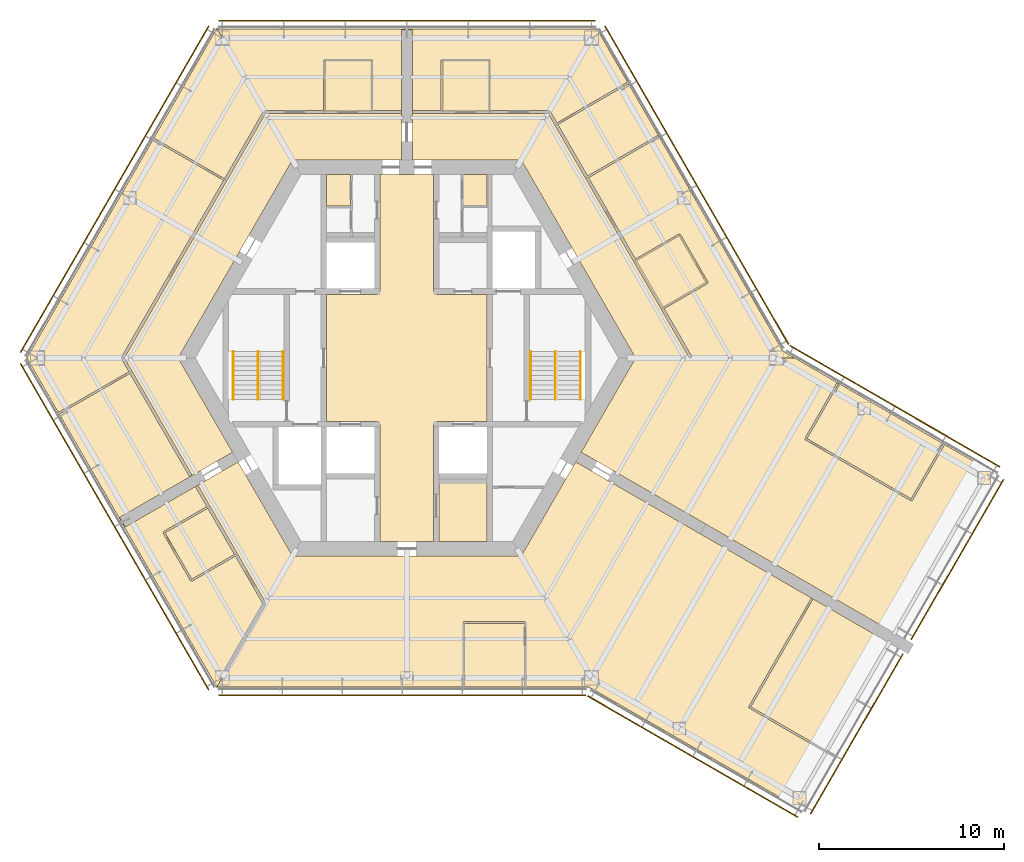
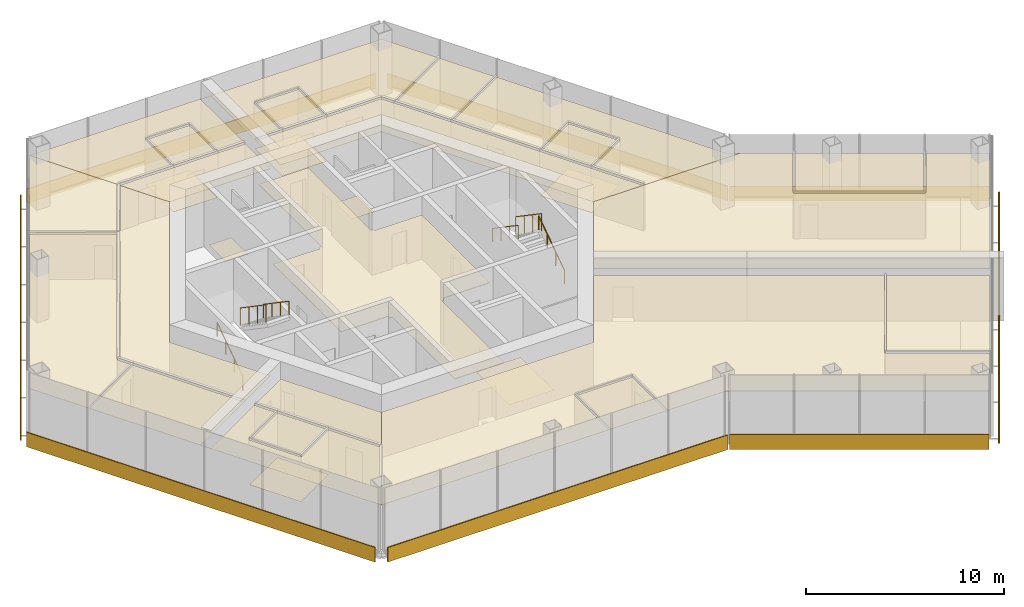
# One storey, part 15 of 15: 29 coverings, 9 shading devices, 6 railings.
"""IFC4 building model written with IfcOpenShell, lengths in metres."""

from ifc_helpers import new_model, si_unit, direction, frame, origin, origin_2d, place, context, subcontext, project, spatial, polyline, rectangle, circle, outline, extrude, material, layer, layer_set, type_object, element, save


model = new_model("IFC4")

# Units and contexts
model_context = context("Model", 3, precision=1e-05, world=origin(), true_north=direction((0.0, 1.0)))
body_context = subcontext(model_context, "Body", "Model", "MODEL_VIEW")
ifc_project = project(units=[si_unit("LENGTHUNIT", "METRE"), si_unit("AREAUNIT", "SQUARE_METRE"), si_unit("VOLUMEUNIT", "CUBIC_METRE"), si_unit("PLANEANGLEUNIT", "RADIAN"), si_unit("MASSUNIT", "GRAM", prefix="KILO")], contexts=[model_context])

# Site, building, storey
site_placement = place(None, origin())
site = spatial("IfcSite", under=ifc_project, at=site_placement, CompositionType="ELEMENT")
building_placement = place(site_placement, origin())
building = spatial("IfcBuilding", under=site, at=building_placement, Name="Kasaneha Research Tower", CompositionType="ELEMENT")
storey_placement = place(building_placement, frame((0.0, 0.0, 240.10009765625)))
storey = spatial("IfcBuildingStorey", under=building, at=storey_placement, Name="L60", CompositionType="ELEMENT", Elevation=240.10009765625)

# Covering
ifc_material_1 = material(Name="Aluminium panel ceiling", Category="aluminium")
ifc_layer_1 = layer(ifc_material_1, 0.0400390625)
ifc_layer_set_1 = layer_set([ifc_layer_1], Name="Lift lobby ceiling 40")
covering_type_1 = type_object("IfcCoveringType", Name="Lift lobby ceiling 40", PredefinedType="CEILING", material=ifc_layer_set_1)
covering_1_placement = place(storey_placement, frame((0.0, 0.0, 2.699951171875)))
element("IfcCovering", 1, at=covering_1_placement, inside=storey, type_object=covering_type_1, Name="Ceiling L60-01", PredefinedType="CEILING", context=body_context, shape_type="SweptSolid", body=[
    extrude(outline(polyline([(1.449951171875, 9.925048828125), (1.449951171875, 3.60009765625), (1.60009765625, 3.60009765625), (1.60009765625, 3.449951171875), (4.35009765625, 3.449951171875), (4.35009765625, -3.449951171875), (1.60009765625, -3.449951171875), (1.60009765625, -3.60009765625), (1.449951171875, -3.60009765625), (1.449951171875, -9.925048828125), (-1.449951171875, -9.925048828125), (-1.449951171875, -3.60009765625), (-1.60009765625, -3.60009765625), (-1.60009765625, -3.449951171875), (-4.35009765625, -3.449951171875), (-4.35009765625, 3.449951171875), (-1.60009765625, 3.449951171875), (-1.60009765625, 3.60009765625), (-1.449951171875, 3.60009765625), (-1.449951171875, 9.925048828125), (1.449951171875, 9.925048828125)])), origin(), (0.0, 0.0, 1.0), 0.0400390625),
])

# Railings
ifc_material_2 = material(Name="Steel", Category="steel")
railing_type_1 = type_object("IfcRailingType", Name="Stair balustrade 1100", PredefinedType="GUARDRAIL", material=ifc_material_2)
for number, where, name in (
    (2, (8.050048828125, 0.35009765625, 2.127197265625), "Stair 1 balustrade L60"),
    (3, (-8.050048828125, 0.35009765625, 2.127197265625), "Stair 2 balustrade L60"),
):
    element("IfcRailing", number, at=place(storey_placement, frame(where)), inside=storey, type_object=railing_type_1, Name=name, PredefinedType="GUARDRAIL", context=body_context, shape_type="SweptSolid", body=[
        extrude(circle(Radius=0.02392578125, at=origin_2d()), frame((0.0, 0.0, 1.076171875), z_axis=(0.0, -0.826240473404, 0.563317565952), x_axis=(1.0, 0.0, 0.0)), (0.0, 0.0, 1.0), 3.14697265625),
        extrude(circle(Radius=0.02099609375, at=origin_2d()), origin(), (0.0, 0.0, 1.0), 1.052001953125),
        extrude(circle(Radius=0.02099609375, at=origin_2d()), frame((0.0, -0.86669921875, 0.5908203125)), (0.0, 0.0, 1.0), 1.052001953125),
        extrude(circle(Radius=0.02099609375, at=origin_2d()), frame((0.0, -1.7333984375, 1.181884765625)), (0.0, 0.0, 1.0), 1.052001953125),
        extrude(circle(Radius=0.02099609375, at=origin_2d()), frame((0.0, -2.60009765625, 1.772705078125)), (0.0, 0.0, 1.0), 1.052001953125),
    ])
ifc_material_3 = material(Name="Steel", Category="steel")
railing_type_2 = type_object("IfcRailingType", Name="Stair handrail 850", PredefinedType="HANDRAIL", material=ifc_material_3)
railing_1_placement = place(storey_placement, frame((9.39990234375, -2.25, 0.17724609375)))
element("IfcRailing", 4, at=railing_1_placement, inside=storey, type_object=railing_type_2, Name="Stair 1 handrail L60", PredefinedType="HANDRAIL", context=body_context, shape_type="SweptSolid", body=[
    extrude(circle(Radius=0.02392578125, at=origin_2d()), frame((0.0, 0.0, 0.826171875), z_axis=(0.0, 0.826240473404, 0.563317565952), x_axis=(-1.0, 0.0, 0.0)), (0.0, 0.0, 1.0), 3.14697265625),
    extrude(circle(Radius=0.02099609375, at=origin_2d()), origin(), (0.0, 0.0, 1.0), 0.802001953125),
    extrude(circle(Radius=0.02099609375, at=origin_2d()), frame((0.0, 0.86669921875, 0.5908203125)), (0.0, 0.0, 1.0), 0.802001953125),
    extrude(circle(Radius=0.02099609375, at=origin_2d()), frame((0.0, 1.7333984375, 1.181884765625)), (0.0, 0.0, 1.0), 0.802001953125),
    extrude(circle(Radius=0.02099609375, at=origin_2d()), frame((0.0, 2.60009765625, 1.772705078125)), (0.0, 0.0, 1.0), 0.802001953125),
])
railing_2_placement = place(storey_placement, frame((6.699951171875, 0.35009765625, 2.127197265625)))
element("IfcRailing", 5, at=railing_2_placement, inside=storey, type_object=railing_type_2, Name="Stair 1 handrail L60", PredefinedType="HANDRAIL", context=body_context, shape_type="SweptSolid", body=[
    extrude(circle(Radius=0.02392578125, at=origin_2d()), frame((0.0, 0.0, 0.826171875), z_axis=(0.0, -0.826240473404, 0.563317565952), x_axis=(1.0, 0.0, 0.0)), (0.0, 0.0, 1.0), 3.14697265625),
    extrude(circle(Radius=0.02099609375, at=origin_2d()), origin(), (0.0, 0.0, 1.0), 0.802001953125),
    extrude(circle(Radius=0.02099609375, at=origin_2d()), frame((0.0, -0.86669921875, 0.5908203125)), (0.0, 0.0, 1.0), 0.802001953125),
    extrude(circle(Radius=0.02099609375, at=origin_2d()), frame((0.0, -1.7333984375, 1.181884765625)), (0.0, 0.0, 1.0), 0.802001953125),
    extrude(circle(Radius=0.02099609375, at=origin_2d()), frame((0.0, -2.60009765625, 1.772705078125)), (0.0, 0.0, 1.0), 0.802001953125),
])
railing_3_placement = place(storey_placement, frame((-9.39990234375, -2.25, 0.17724609375)))
element("IfcRailing", 6, at=railing_3_placement, inside=storey, type_object=railing_type_2, Name="Stair 2 handrail L60", PredefinedType="HANDRAIL", context=body_context, shape_type="SweptSolid", body=[
    extrude(circle(Radius=0.02392578125, at=origin_2d()), frame((0.0, 0.0, 0.826171875), z_axis=(0.0, 0.826240473404, 0.563317565952), x_axis=(-1.0, 0.0, 0.0)), (0.0, 0.0, 1.0), 3.14697265625),
    extrude(circle(Radius=0.02099609375, at=origin_2d()), origin(), (0.0, 0.0, 1.0), 0.802001953125),
    extrude(circle(Radius=0.02099609375, at=origin_2d()), frame((0.0, 0.86669921875, 0.5908203125)), (0.0, 0.0, 1.0), 0.802001953125),
    extrude(circle(Radius=0.02099609375, at=origin_2d()), frame((0.0, 1.7333984375, 1.181884765625)), (0.0, 0.0, 1.0), 0.802001953125),
    extrude(circle(Radius=0.02099609375, at=origin_2d()), frame((0.0, 2.60009765625, 1.772705078125)), (0.0, 0.0, 1.0), 0.802001953125),
])
railing_4_placement = place(storey_placement, frame((-6.699951171875, 0.35009765625, 2.127197265625)))
element("IfcRailing", 7, at=railing_4_placement, inside=storey, type_object=railing_type_2, Name="Stair 2 handrail L60", PredefinedType="HANDRAIL", context=body_context, shape_type="SweptSolid", body=[
    extrude(circle(Radius=0.02392578125, at=origin_2d()), frame((0.0, 0.0, 0.826171875), z_axis=(0.0, -0.826240473404, 0.563317565952), x_axis=(1.0, 0.0, 0.0)), (0.0, 0.0, 1.0), 3.14697265625),
    extrude(circle(Radius=0.02099609375, at=origin_2d()), origin(), (0.0, 0.0, 1.0), 0.802001953125),
    extrude(circle(Radius=0.02099609375, at=origin_2d()), frame((0.0, -0.86669921875, 0.5908203125)), (0.0, 0.0, 1.0), 0.802001953125),
    extrude(circle(Radius=0.02099609375, at=origin_2d()), frame((0.0, -1.7333984375, 1.181884765625)), (0.0, 0.0, 1.0), 0.802001953125),
    extrude(circle(Radius=0.02099609375, at=origin_2d()), frame((0.0, -2.60009765625, 1.772705078125)), (0.0, 0.0, 1.0), 0.802001953125),
])

# Coverings
ifc_material_4 = material(Name="Gypsum ceiling board", Category="gypsum")
ifc_layer_2 = layer(ifc_material_4, 0.02001953125)
ifc_layer_set_2 = layer_set([ifc_layer_2], Name="Suspended ceiling 20")
covering_type_2 = type_object("IfcCoveringType", Name="Suspended ceiling 20", PredefinedType="CEILING", material=ifc_layer_set_2)
covering_2_placement = place(storey_placement, frame((0.0, 0.0, 2.7998046875)))
element("IfcCovering", 8, at=covering_2_placement, inside=storey, type_object=covering_type_2, Name="Ceiling L60-27", PredefinedType="CEILING", context=body_context, shape_type="SweptSolid", body=[
    extrude(outline(polyline([(6.192138671875, 10.72509765625), (0.300048828125, 10.72509765625), (0.300048828125, 11.72509765625), (0.300048828125, 12.72509765625), (0.300048828125, 13.324951171875), (0.320068359375, 13.324951171875), (0.320068359375, 13.25), (1.89501953125, 13.25), (1.904541015625, 13.25), (4.46044921875, 13.25), (4.469970703125, 13.25), (7.64990234375, 13.25), (8.019287109375, 12.610107421875), (8.019287109375, 12.610107421875), (9.68505859375, 9.72509765625), (9.68505859375, 9.72509765625), (12.277099609375, 5.235595703125), (12.277099609375, 5.235595703125), (13.77734375, 2.636962890625), (13.77734375, 2.636962890625), (15.2998046875, 0.0), (12.38427734375, 0.0), (6.192138671875, 10.72509765625)])), origin(), (0.0, 0.0, 1.0), 0.02001953125),
])
covering_3_placement = place(storey_placement, frame((0.0, 0.0, 2.7998046875)))
element("IfcCovering", 9, at=covering_3_placement, inside=storey, type_object=covering_type_2, Name="Ceiling L60-28", PredefinedType="CEILING", context=body_context, shape_type="SweptSolid", body=[
    extrude(outline(polyline([(4.4150390625, 16.074951171875), (4.41064453125, 13.39990234375), (1.954345703125, 13.39990234375), (1.9501953125, 16.074951171875), (4.4150390625, 16.074951171875)])), origin(), (0.0, 0.0, 1.0), 0.02001953125),
])
covering_4_placement = place(storey_placement, frame((0.0, 0.0, 2.7998046875)))
element("IfcCovering", 10, at=covering_4_placement, inside=storey, type_object=covering_type_2, Name="Ceiling L60-29", PredefinedType="CEILING", context=body_context, shape_type="SweptSolid", body=[
    extrude(outline(polyline([(16.1962890625, 4.09716796875), (13.877685546875, 2.763427734375), (12.431884765625, 5.267333984375), (14.746337890625, 6.608642578125), (16.1962890625, 4.09716796875)])), origin(), (0.0, 0.0, 1.0), 0.02001953125),
])
covering_5_placement = place(storey_placement, frame((0.0, 0.0, 2.7998046875)))
element("IfcCovering", 11, at=covering_5_placement, inside=storey, type_object=covering_type_2, Name="Ceiling L60-30", PredefinedType="CEILING", context=body_context, shape_type="SweptSolid", body=[
    extrude(outline(polyline([(13.623291015625, 12.004638671875), (13.598388671875, 12.0478515625), (9.78515625, 9.851318359375), (8.17431640625, 12.641845703125), (12.000244140625, 14.85595703125), (13.640869140625, 12.0146484375), (13.623291015625, 12.004638671875)])), origin(), (0.0, 0.0, 1.0), 0.02001953125),
])
covering_6_placement = place(storey_placement, frame((0.0, 0.0, 2.7998046875)))
element("IfcCovering", 12, at=covering_6_placement, inside=storey, type_object=covering_type_2, Name="Ceiling L60-31", PredefinedType="CEILING", context=body_context, shape_type="SweptSolid", body=[
    extrude(outline(polyline([(15.375244140625, 0.020263671875), (15.439697265625, 0.0576171875), (13.927490234375, 2.6767578125), (16.28955078125, 4.035400390625), (16.2646484375, 4.078857421875), (16.30810546875, 4.103759765625), (14.80810546875, 6.701904296875), (14.764892578125, 6.677001953125), (14.764892578125, 6.67724609375), (14.7646484375, 6.67724609375), (14.73974609375, 6.72021484375), (12.3818359375, 5.35400390625), (9.835205078125, 9.764892578125), (13.6484375, 11.961181640625), (13.62353515625, 12.004150390625), (13.64111328125, 12.01416015625), (20.365966796875, 0.365966796875), (21.0, 0.0), (15.386962890625, 0.0), (15.375244140625, 0.020263671875)])), origin(), (0.0, 0.0, 1.0), 0.02001953125),
])
covering_7_placement = place(storey_placement, frame((0.0, 0.0, 2.7998046875)))
element("IfcCovering", 13, at=covering_7_placement, inside=storey, type_object=covering_type_2, Name="Ceiling L60-32", PredefinedType="CEILING", context=body_context, shape_type="SweptSolid", body=[
    extrude(outline(polyline([(10.28857421875, 17.820556640625), (11.9501953125, 14.9423828125), (8.124267578125, 12.728515625), (7.758056640625, 13.362548828125), (7.693359375, 13.3251953125), (7.693359375, 13.325439453125), (7.693115234375, 13.325439453125), (7.693115234375, 13.39990234375), (4.510498046875, 13.39990234375), (4.514892578125, 16.125), (4.46533203125, 16.125), (4.46533203125, 16.12548828125), (4.465087890625, 16.12548828125), (4.465087890625, 16.175048828125), (1.89990234375, 16.175048828125), (1.89990234375, 16.12548828125), (1.89990234375, 16.12548828125), (1.89990234375, 16.125), (1.85009765625, 16.125), (1.8544921875, 13.39990234375), (0.320068359375, 13.39990234375), (0.320068359375, 13.325439453125), (0.300048828125, 13.325439453125), (0.300048828125, 17.7705078125), (0.300048828125, 17.7705078125), (0.0, 17.7705078125), (0.0, 17.820556640625), (10.28857421875, 17.820556640625)])), origin(), (0.0, 0.0, 1.0), 0.02001953125),
])
covering_8_placement = place(storey_placement, frame((0.0, 0.0, 2.7998046875)))
element("IfcCovering", 14, at=covering_8_placement, inside=storey, type_object=covering_type_2, Name="Ceiling L60-33", PredefinedType="CEILING", context=body_context, shape_type="SweptSolid", body=[
    extrude(outline(polyline([(-0.300048828125, 11.72509765625), (-0.300048828125, 10.72509765625), (-6.192138671875, 10.72509765625), (-7.64990234375, 13.25), (-7.64990234375, 13.25), (-4.469970703125, 13.25), (-4.46044921875, 13.25), (-1.904541015625, 13.25), (-1.89501953125, 13.25), (-0.320068359375, 13.25), (-0.320068359375, 13.324951171875), (-0.300048828125, 13.324951171875), (-0.300048828125, 12.72509765625), (-0.300048828125, 11.72509765625)])), origin(), (0.0, 0.0, 1.0), 0.02001953125),
])
covering_9_placement = place(storey_placement, frame((0.0, 0.0, 2.7998046875)))
element("IfcCovering", 15, at=covering_9_placement, inside=storey, type_object=covering_type_2, Name="Ceiling L60-34", PredefinedType="CEILING", context=body_context, shape_type="SweptSolid", body=[
    extrude(outline(polyline([(-1.9501953125, 16.074951171875), (-1.954345703125, 13.39990234375), (-4.41064453125, 13.39990234375), (-4.4150390625, 16.074951171875), (-1.9501953125, 16.074951171875)])), origin(), (0.0, 0.0, 1.0), 0.02001953125),
])
covering_10_placement = place(storey_placement, frame((0.0, 0.0, 2.7998046875)))
element("IfcCovering", 16, at=covering_10_placement, inside=storey, type_object=covering_type_2, Name="Ceiling L60-35", PredefinedType="CEILING", context=body_context, shape_type="SweptSolid", body=[
    extrude(outline(polyline([(-0.320068359375, 13.325439453125), (-0.320068359375, 13.39990234375), (-1.8544921875, 13.39990234375), (-1.85009765625, 16.125), (-1.899658203125, 16.125), (-1.899658203125, 16.12548828125), (-1.89990234375, 16.12548828125), (-1.89990234375, 16.175048828125), (-4.465087890625, 16.175048828125), (-4.465087890625, 16.12548828125), (-4.465087890625, 16.125), (-4.514892578125, 16.125), (-4.510498046875, 13.39990234375), (-7.670166015625, 13.39990234375), (-7.670166015625, 13.325439453125), (-7.693359375, 13.325439453125), (-10.28857421875, 17.820556640625), (0.0, 17.820556640625), (0.0, 17.7705078125), (-0.300048828125, 17.7705078125), (-0.300048828125, 17.7705078125), (-0.300048828125, 13.325439453125), (-0.320068359375, 13.325439453125)])), origin(), (0.0, 0.0, 1.0), 0.02001953125),
])
covering_11_placement = place(storey_placement, frame((0.0, 0.0, 2.7998046875)))
element("IfcCovering", 17, at=covering_11_placement, inside=storey, type_object=covering_type_2, Name="Ceiling L60-36", PredefinedType="CEILING", context=body_context, shape_type="SweptSolid", body=[
    extrude(outline(polyline([(-12.38427734375, 0.0), (-9.438232421875, -5.102783203125), (-10.30419921875, -5.602783203125), (-10.30419921875, -5.602783203125), (-11.170166015625, -6.102783203125), (-11.170166015625, -6.102783203125), (-11.689697265625, -6.402587890625), (-11.69970703125, -6.385498046875), (-11.634765625, -6.347900390625), (-14.88818359375, -0.713134765625), (-14.887939453125, -0.713134765625), (-15.2998046875, 0.0), (-9.764892578125, 9.5869140625), (-9.764892578125, 9.5869140625), (-7.64990234375, 13.25), (-6.192138671875, 10.72509765625), (-12.38427734375, 0.0)])), origin(), (0.0, 0.0, 1.0), 0.02001953125),
])
covering_12_placement = place(storey_placement, frame((0.0, 0.0, 2.7998046875)))
element("IfcCovering", 18, at=covering_12_placement, inside=storey, type_object=covering_type_2, Name="Ceiling L60-37", PredefinedType="CEILING", context=body_context, shape_type="SweptSolid", body=[
    extrude(outline(polyline([(-15.539794921875, -8.62548828125), (-15.539794921875, -8.62548828125), (-15.3896484375, -8.88525390625), (-15.43310546875, -8.91015625), (-18.823486328125, -3.037841796875), (-14.992919921875, -0.831298828125), (-11.7646484375, -6.4228515625), (-11.69970703125, -6.385498046875), (-11.689697265625, -6.402587890625), (-11.429931640625, -6.252685546875), (-15.539794921875, -8.62548828125), (-15.539794921875, -8.62548828125)])), origin(), (0.0, 0.0, 1.0), 0.02001953125),
])
covering_13_placement = place(storey_placement, frame((0.0, 0.0, 2.7998046875)))
element("IfcCovering", 19, at=covering_13_placement, inside=storey, type_object=covering_type_2, Name="Ceiling L60-38", PredefinedType="CEILING", context=body_context, shape_type="SweptSolid", body=[
    extrude(outline(polyline([(-12.027587890625, 14.83251953125), (-10.299072265625, 17.826416015625), (-10.291748046875, 17.83203125), (-10.282470703125, 17.830810546875), (-7.681396484375, 13.32568359375), (-7.686279296875, 13.31396484375), (-7.693603515625, 13.3251953125), (-7.705078125, 13.30517578125), (-7.76953125, 13.342529296875), (-9.869873046875, 9.705078125), (-13.7001953125, 11.911376953125), (-12.023193359375, 14.816162109375), (-12.02880859375, 14.822998046875), (-12.027587890625, 14.83251953125)])), origin(), (0.0, 0.0, 1.0), 0.02001953125),
])
covering_14_placement = place(storey_placement, frame((0.0, 0.0, 2.7998046875)))
element("IfcCovering", 20, at=covering_14_placement, inside=storey, type_object=covering_type_2, Name="Ceiling L60-39", PredefinedType="CEILING", context=body_context, shape_type="SweptSolid", body=[
    extrude(outline(polyline([(-15.38671875, 0.000244140625), (-15.38671875, -0.000244140625), (-15.451416015625, -0.03759765625), (-15.04296875, -0.74462890625), (-18.87353515625, -2.951171875), (-20.577392578125, 0.0), (-13.750244140625, 11.82470703125), (-9.919677734375, 9.618408203125), (-15.451416015625, 0.03759765625), (-15.38671875, 0.000244140625), (-15.38671875, 0.000244140625)])), origin(), (0.0, 0.0, 1.0), 0.02001953125),
])
covering_15_placement = place(storey_placement, frame((0.0, 0.0, 2.7998046875)))
element("IfcCovering", 21, at=covering_15_placement, inside=storey, type_object=covering_type_2, Name="Ceiling L60-40", PredefinedType="CEILING", context=body_context, shape_type="SweptSolid", body=[
    extrude(outline(polyline([(-10.8701171875, -6.622314453125), (-10.004150390625, -6.122314453125), (-10.004150390625, -6.122314453125), (-9.13818359375, -5.622314453125), (-6.192138671875, -10.72509765625), (-7.64990234375, -13.25), (-9.177001953125, -10.604736328125), (-9.177001953125, -10.604736328125), (-10.67724609375, -8.00634765625), (-10.677490234375, -8.00634765625), (-11.31494140625, -6.902099609375), (-11.3798828125, -6.939697265625), (-11.389892578125, -6.92236328125), (-10.8701171875, -6.622314453125), (-10.8701171875, -6.622314453125)])), origin(), (0.0, 0.0, 1.0), 0.02001953125),
])
covering_16_placement = place(storey_placement, frame((0.0, 0.0, 2.7998046875)))
element("IfcCovering", 22, at=covering_16_placement, inside=storey, type_object=covering_type_2, Name="Ceiling L60-41", PredefinedType="CEILING", context=body_context, shape_type="SweptSolid", body=[
    extrude(outline(polyline([(-13.096435546875, -9.466552734375), (-10.777587890625, -8.132568359375), (-9.33203125, -10.63671875), (-11.646484375, -11.977783203125), (-13.096435546875, -9.466552734375)])), origin(), (0.0, 0.0, 1.0), 0.02001953125),
])
covering_17_placement = place(storey_placement, frame((0.0, 0.0, 2.7998046875)))
element("IfcCovering", 23, at=covering_17_placement, inside=storey, type_object=covering_type_2, Name="Ceiling L60-42", PredefinedType="CEILING", context=body_context, shape_type="SweptSolid", body=[
    extrude(outline(polyline([(-11.380126953125, -6.93994140625), (-11.44482421875, -6.97705078125), (-10.82763671875, -8.046142578125), (-13.189697265625, -9.40478515625), (-13.164794921875, -9.447998046875), (-13.1650390625, -9.447998046875), (-13.1650390625, -9.4482421875), (-13.2080078125, -9.47314453125), (-11.7080078125, -12.0712890625), (-11.6650390625, -12.04638671875), (-11.6650390625, -12.04638671875), (-11.664794921875, -12.046142578125), (-11.6396484375, -12.08935546875), (-9.281982421875, -10.72314453125), (-7.76953125, -13.342529296875), (-7.705078125, -13.30517578125), (-7.693359375, -13.325439453125), (-10.28857421875, -17.820556640625), (-15.43310546875, -8.91015625), (-15.3896484375, -8.88525390625), (-15.23974609375, -9.14501953125), (-15.23974609375, -9.14501953125), (-15.23974609375, -9.14501953125), (-11.39013671875, -6.922607421875), (-11.380126953125, -6.93994140625)])), origin(), (0.0, 0.0, 1.0), 0.02001953125),
])
covering_18_placement = place(storey_placement, frame((0.0, 0.0, 2.7998046875)))
element("IfcCovering", 24, at=covering_18_placement, inside=storey, type_object=covering_type_2, Name="Ceiling L60-43", PredefinedType="CEILING", context=body_context, shape_type="SweptSolid", body=[
    extrude(outline(polyline([(29.03173828125, -4.63720703125), (27.306640625, -7.625), (21.660400390625, -4.364990234375), (23.37548828125, -1.39453125), (23.332275390625, -1.36962890625), (23.34228515625, -1.352294921875), (29.03173828125, -4.63720703125)])), origin(), (0.0, 0.0, 1.0), 0.02001953125),
])
covering_19_placement = place(storey_placement, frame((0.0, 0.0, 2.7998046875)))
element("IfcCovering", 25, at=covering_19_placement, inside=storey, type_object=covering_type_2, Name="Ceiling L60-44", PredefinedType="CEILING", context=body_context, shape_type="SweptSolid", body=[
    extrude(outline(polyline([(10.30419921875, -5.602783203125), (10.30419921875, -5.602783203125), (9.438232421875, -5.102783203125), (12.38427734375, 0.0), (15.2998046875, 0.0), (15.309814453125, -0.017578125), (15.340087890625, 0.0), (21.0, 0.0), (23.341796875, -1.35205078125), (23.331787109375, -1.369384765625), (23.288818359375, -1.344482421875), (21.548828125, -4.3583984375), (21.592041015625, -4.38330078125), (21.591796875, -4.3837890625), (21.592041015625, -4.3837890625), (21.567138671875, -4.4267578125), (27.300048828125, -7.736572265625), (27.324951171875, -7.693115234375), (27.368408203125, -7.71826171875), (29.1181640625, -4.68701171875), (31.94140625, -6.31689453125), (26.84130859375, -15.150390625), (11.170166015625, -6.102783203125), (11.170166015625, -6.102783203125), (10.30419921875, -5.602783203125)])), origin(), (0.0, 0.0, 1.0), 0.02001953125),
])
covering_20_placement = place(storey_placement, frame((0.0, 0.0, 2.7998046875)))
element("IfcCovering", 26, at=covering_20_placement, inside=storey, type_object=covering_type_2, Name="Ceiling L60-45", PredefinedType="CEILING", context=body_context, shape_type="SweptSolid", body=[
    extrude(outline(polyline([(23.141357421875, -21.55908203125), (23.1240234375, -21.549072265625), (23.14892578125, -21.505615234375), (18.61962890625, -18.890625), (21.984619140625, -13.0625), (21.94140625, -13.037353515625), (21.951416015625, -13.02001953125), (24.728271484375, -14.623291015625), (26.541259765625, -15.670166015625), (23.141357421875, -21.55908203125)])), origin(), (0.0, 0.0, 1.0), 0.02001953125),
])
covering_21_placement = place(storey_placement, frame((0.0, 0.0, 2.7998046875)))
element("IfcCovering", 27, at=covering_21_placement, inside=storey, type_object=covering_type_2, Name="Ceiling L60-46", PredefinedType="CEILING", context=body_context, shape_type="SweptSolid", body=[
    extrude(outline(polyline([(3.077392578125, -17.820556640625), (3.077392578125, -17.800537109375), (3.12744140625, -17.800537109375), (3.12744140625, -14.37060546875), (6.3583984375, -14.37060546875), (6.3583984375, -17.800537109375), (6.408203125, -17.800537109375), (6.408203125, -17.820556640625), (3.077392578125, -17.820556640625)])), origin(), (0.0, 0.0, 1.0), 0.02001953125),
])
covering_22_placement = place(storey_placement, frame((0.0, 0.0, 2.7998046875)))
element("IfcCovering", 28, at=covering_22_placement, inside=storey, type_object=covering_type_2, Name="Ceiling L60-47", PredefinedType="CEILING", context=body_context, shape_type="SweptSolid", body=[
    extrude(outline(polyline([(6.192138671875, -10.72509765625), (9.13818359375, -5.622314453125), (10.004150390625, -6.122314453125), (10.004150390625, -6.122314453125), (10.8701171875, -6.622314453125), (10.8701171875, -6.622314453125), (16.652587890625, -9.960693359375), (21.950927734375, -13.019775390625), (21.94091796875, -13.037109375), (21.898193359375, -13.012451171875), (18.508056640625, -18.884033203125), (18.551025390625, -18.908935546875), (18.551025390625, -18.9091796875), (18.55126953125, -18.9091796875), (18.5263671875, -18.952392578125), (23.09912109375, -21.59228515625), (23.123779296875, -21.549560546875), (23.14111328125, -21.5595703125), (21.44140625, -24.50341796875), (9.865966796875, -17.820556640625), (6.40869140625, -17.820556640625), (6.40869140625, -17.800537109375), (6.458251953125, -17.800537109375), (6.458251953125, -14.320556640625), (6.408447265625, -14.320556640625), (6.408447265625, -14.320068359375), (6.408203125, -14.320068359375), (6.408203125, -14.2705078125), (3.077392578125, -14.2705078125), (3.077392578125, -14.320068359375), (3.076904296875, -14.320068359375), (3.076904296875, -14.320556640625), (3.02734375, -14.320556640625), (3.02734375, -17.800537109375), (3.076904296875, -17.800537109375), (3.076904296875, -17.820556640625), (-10.28857421875, -17.820556640625), (-7.670166015625, -13.284912109375), (-7.6396484375, -13.267578125), (-7.64990234375, -13.25), (-6.192138671875, -10.72509765625), (6.192138671875, -10.72509765625)])), origin(), (0.0, 0.0, 1.0), 0.02001953125),
])

# Shading devices
ifc_material_5 = material(Name="Terracotta", Category="masonry")
ifc_layer_3 = layer(ifc_material_5, 0.06005859375)
ifc_layer_set_3 = layer_set([ifc_layer_3], Name="Terracotta baguette screen")
shading_device_type = type_object("IfcShadingDeviceType", Name="Terracotta baguette screen", PredefinedType="USERDEFINED", material=ifc_layer_set_3)
shading_device_1_placement = place(storey_placement, frame((15.696044921875, 9.35498046875, -0.449951171875), z_axis=(0.0, 0.0, 1.0), x_axis=(-0.499999979232, 0.866025415775, 0.0)))
element("IfcShadingDevice", 29, at=shading_device_1_placement, inside=storey, type_object=shading_device_type, Name="Baguette screen L60 01", ObjectType="TERRACOTTA BAGUETTE SCREEN", PredefinedType="USERDEFINED", context=body_context, shape_type="SweptSolid", body=[
    extrude(rectangle(XDim=19.8857421875, YDim=0.06005859375, at=origin_2d()), origin(), (0.0, 0.0, 1.0), 0.89990234375),
])
for number, where, z_axis, x_axis, name in (
    (30, (0.0, 18.2705078125, -0.449951171875), (0.0, 0.0, 1.0), (-1.0, 0.0, 0.0), "Baguette screen L60 02"),
    (31, (-15.82275390625, 9.13525390625, -0.449951171875), (0.0, 0.0, 1.0), (-0.499999995722, -0.866025406254, 0.0), "Baguette screen L60 03"),
    (32, (-15.82275390625, -9.13525390625, -0.449951171875), (0.0, 0.0, 1.0), (0.499999995722, -0.866025406254, 0.0), "Baguette screen L60 04"),
):
    element("IfcShadingDevice", number, at=place(storey_placement, frame(where, z_axis=z_axis, x_axis=x_axis)), inside=storey, type_object=shading_device_type, Name=name, ObjectType="TERRACOTTA BAGUETTE SCREEN", PredefinedType="USERDEFINED", context=body_context, shape_type="SweptSolid", body=[
        extrude(rectangle(XDim=20.392822265625, YDim=0.06005859375, at=origin_2d()), origin(), (0.0, 0.0, 1.0), 0.89990234375),
    ])
shading_device_2_placement = place(storey_placement, frame((-0.253662109375, -18.2705078125, -0.449951171875), z_axis=(0.0, 0.0, 1.0), x_axis=(1.0, 0.0, 0.0)))
element("IfcShadingDevice", 33, at=shading_device_2_placement, inside=storey, type_object=shading_device_type, Name="Baguette screen L60 05", ObjectType="TERRACOTTA BAGUETTE SCREEN", PredefinedType="USERDEFINED", context=body_context, shape_type="SweptSolid", body=[
    extrude(rectangle(XDim=19.8857421875, YDim=0.06005859375, at=origin_2d()), origin(), (0.0, 0.0, 1.0), 0.89990234375),
])
shading_device_3_placement = place(storey_placement, frame((15.483642578125, -21.58349609375, -0.449951171875), z_axis=(0.0, 0.0, 1.0), x_axis=(0.866025411464, -0.499999986699, 0.0)))
element("IfcShadingDevice", 34, at=shading_device_3_placement, inside=storey, type_object=shading_device_type, Name="Baguette screen L60 06", ObjectType="TERRACOTTA BAGUETTE SCREEN", PredefinedType="USERDEFINED", context=body_context, shape_type="SweptSolid", body=[
    extrude(rectangle(XDim=13.13916015625, YDim=0.06005859375, at=origin_2d()), origin(), (0.0, 0.0, 1.0), 0.89990234375),
])
for number, where, z_axis, x_axis, name in (
    (35, (24.35595703125, -20.35498046875, -0.449951171875), (0.0, 0.0, 1.0), (0.500000011442, 0.866025397178, 0.0), "Baguette screen L60 07"),
    (36, (29.80615234375, -10.91552734375, -0.449951171875), (0.0, 0.0, 1.0), (0.500000011442, 0.866025397178, 0.0), "Baguette screen L60 08"),
):
    element("IfcShadingDevice", number, at=place(storey_placement, frame(where, z_axis=z_axis, x_axis=x_axis)), inside=storey, type_object=shading_device_type, Name=name, ObjectType="TERRACOTTA BAGUETTE SCREEN", PredefinedType="USERDEFINED", context=body_context, shape_type="SweptSolid", body=[
        extrude(rectangle(XDim=10.0, YDim=0.06005859375, at=origin_2d()), origin(), (0.0, 0.0, 1.0), 0.89990234375),
    ])
shading_device_4_placement = place(storey_placement, frame((26.43359375, -2.617431640625, -0.449951171875), z_axis=(0.0, 0.0, 1.0), x_axis=(-0.866025411464, 0.499999986699, 0.0)))
element("IfcShadingDevice", 37, at=shading_device_4_placement, inside=storey, type_object=shading_device_type, Name="Baguette screen L60 09", ObjectType="TERRACOTTA BAGUETTE SCREEN", PredefinedType="USERDEFINED", context=body_context, shape_type="SweptSolid", body=[
    extrude(rectangle(XDim=13.13916015625, YDim=0.06005859375, at=origin_2d()), origin(), (0.0, 0.0, 1.0), 0.89990234375),
])

# Coverings
ifc_material_6 = material(Name="Vinyl sheet flooring", Category="plastic")
ifc_layer_4 = layer(ifc_material_6, 0.0048828125)
ifc_layer_set_4 = layer_set([ifc_layer_4], Name="Wet room sheet flooring 5")
covering_type_3 = type_object("IfcCoveringType", Name="Wet room sheet flooring 5", PredefinedType="FLOORING", material=ifc_layer_set_4)
covering_23_placement = place(storey_placement, origin())
element("IfcCovering", 38, at=covering_23_placement, inside=storey, type_object=covering_type_3, Name="Floor finish L60-07", PredefinedType="FLOORING", context=body_context, shape_type="SweptSolid", body=[
    extrude(outline(polyline([(-4.35009765625, 8.22509765625), (-4.35009765625, 9.925048828125), (-3.050048828125, 9.925048828125), (-3.050048828125, 8.22509765625), (-4.35009765625, 8.22509765625)])), origin(), (0.0, 0.0, 1.0), 0.0048828125),
])
covering_24_placement = place(storey_placement, origin())
element("IfcCovering", 39, at=covering_24_placement, inside=storey, type_object=covering_type_3, Name="Floor finish L60-10", PredefinedType="FLOORING", context=body_context, shape_type="SweptSolid", body=[
    extrude(outline(polyline([(4.35009765625, 8.265380859375), (3.050048828125, 8.265380859375), (3.050048828125, 9.925048828125), (4.35009765625, 9.925048828125), (4.35009765625, 8.265380859375)])), origin(), (0.0, 0.0, 1.0), 0.0048828125),
])
covering_25_placement = place(storey_placement, origin())
element("IfcCovering", 40, at=covering_25_placement, inside=storey, type_object=covering_type_3, Name="Floor finish L60-13", PredefinedType="FLOORING", context=body_context, shape_type="SweptSolid", body=[
    extrude(outline(polyline([(1.75, -9.925048828125), (1.75, -6.550048828125), (4.35009765625, -6.550048828125), (4.35009765625, -9.925048828125), (1.75, -9.925048828125)])), origin(), (0.0, 0.0, 1.0), 0.0048828125),
])
covering_26_placement = place(storey_placement, origin())
element("IfcCovering", 41, at=covering_26_placement, inside=storey, type_object=covering_type_3, Name="Floor finish L60-28", PredefinedType="FLOORING", context=body_context, shape_type="SweptSolid", body=[
    extrude(outline(polyline([(1.89990234375, 16.125), (4.465087890625, 16.125), (4.465087890625, 13.324951171875), (1.89990234375, 13.324951171875), (1.89990234375, 16.125)])), origin(), (0.0, 0.0, 1.0), 0.0048828125),
])
covering_27_placement = place(storey_placement, origin())
element("IfcCovering", 42, at=covering_27_placement, inside=storey, type_object=covering_type_3, Name="Floor finish L60-29", PredefinedType="FLOORING", context=body_context, shape_type="SweptSolid", body=[
    extrude(outline(polyline([(14.7646484375, 6.6767578125), (16.2646484375, 4.078857421875), (13.83984375, 2.6787109375), (12.33984375, 5.27685546875), (14.7646484375, 6.6767578125)])), origin(), (0.0, 0.0, 1.0), 0.0048828125),
])
covering_28_placement = place(storey_placement, origin())
element("IfcCovering", 43, at=covering_28_placement, inside=storey, type_object=covering_type_3, Name="Floor finish L60-34", PredefinedType="FLOORING", context=body_context, shape_type="SweptSolid", body=[
    extrude(outline(polyline([(-4.465087890625, 16.125), (-1.89990234375, 16.125), (-1.89990234375, 13.324951171875), (-4.465087890625, 13.324951171875), (-4.465087890625, 16.125)])), origin(), (0.0, 0.0, 1.0), 0.0048828125),
])
covering_29_placement = place(storey_placement, origin())
element("IfcCovering", 44, at=covering_29_placement, inside=storey, type_object=covering_type_3, Name="Floor finish L60-41", PredefinedType="FLOORING", context=body_context, shape_type="SweptSolid", body=[
    extrude(outline(polyline([(-11.66455078125, -12.046142578125), (-13.16455078125, -9.4482421875), (-10.73974609375, -8.048095703125), (-9.23974609375, -10.646240234375), (-11.66455078125, -12.046142578125)])), origin(), (0.0, 0.0, 1.0), 0.0048828125),
])

save(model, "model.ifc")
